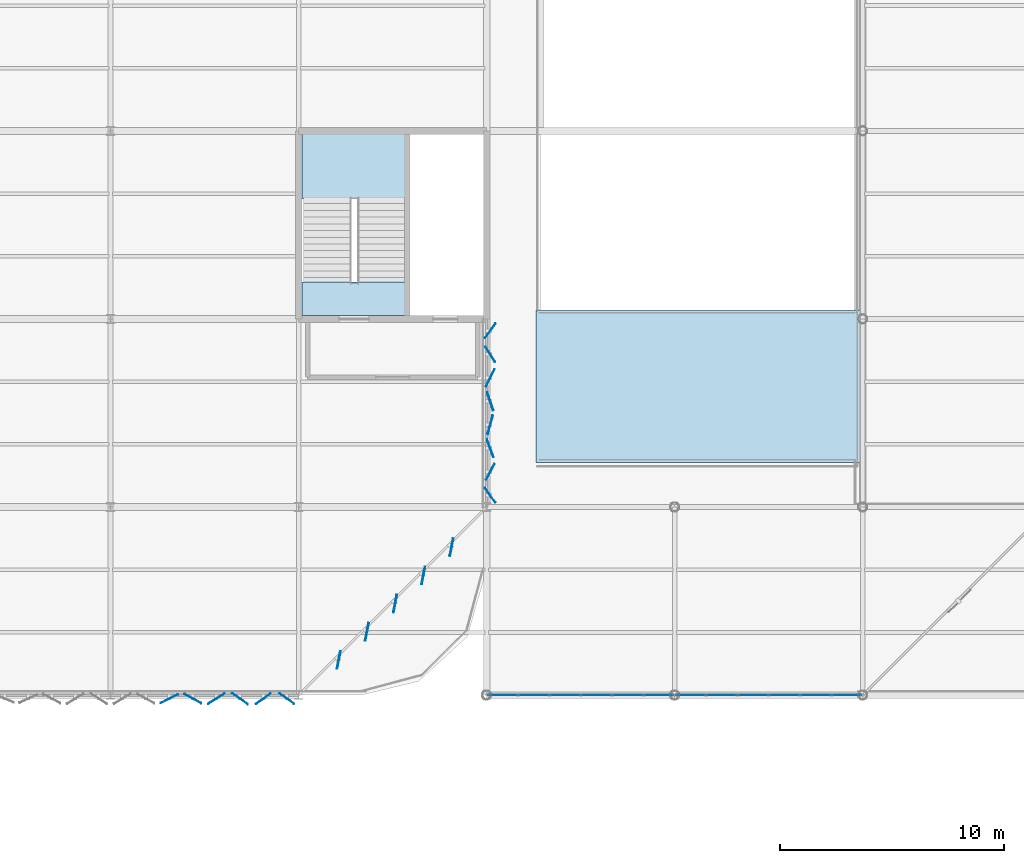
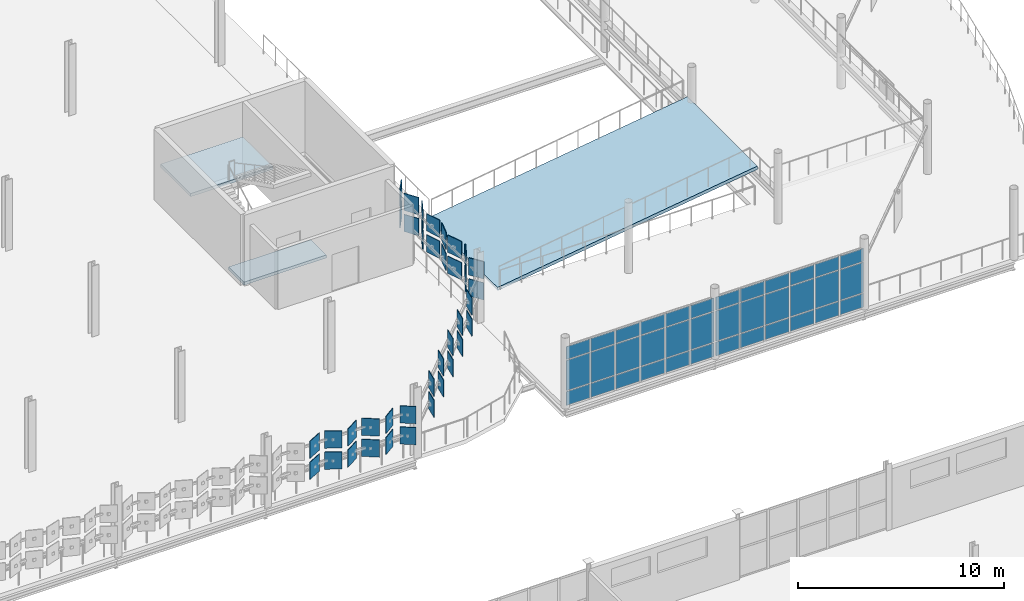
# One storey, part 126 of 163: 74 plates, 3 slabs, 3 elements without a shape of their own.
"""IFC4 building model written with IfcOpenShell, lengths in metres."""

from ifc_helpers import new_model, si_unit, direction, frame, origin, origin_2d, place, context, subcontext, project, spatial, polyline, rectangle, outline, extrude, material, layer, layer_set, type_object, element, aggregate, save


model = new_model("IFC4")

# Units and contexts
model_context = context("Model", 3, precision=1e-05, world=origin(), true_north=direction((0.0, 1.0)))
body_context = subcontext(model_context, "Body", "Model", "MODEL_VIEW")
ifc_project = project(units=[si_unit("LENGTHUNIT", "METRE"), si_unit("AREAUNIT", "SQUARE_METRE"), si_unit("VOLUMEUNIT", "CUBIC_METRE"), si_unit("PLANEANGLEUNIT", "RADIAN"), si_unit("MASSUNIT", "GRAM", prefix="KILO")], contexts=[model_context])

# Site, building, storey
site_placement = place(None, origin())
site = spatial("IfcSite", under=ifc_project, at=site_placement, CompositionType="ELEMENT")
building_placement = place(site_placement, origin())
building = spatial("IfcBuilding", under=site, at=building_placement, Name="Qalvenar Corner Mobility Hub", CompositionType="ELEMENT")
storey_placement = place(building_placement, frame((0.0, 0.0, 4.800048828125)))
storey = spatial("IfcBuildingStorey", under=building, at=storey_placement, Name="L01", CompositionType="ELEMENT", Elevation=4.800048828125)

# Curtain wall, plates
ifc_material_1 = material(Name="Anodised Aluminium and Low-E Glazing", Category="aluminium")
ifc_layer_1 = layer(ifc_material_1, 0.1201171875)
ifc_layer_set_1 = layer_set([ifc_layer_1], Name="Anodised Aluminium and Low-E Glazing")
curtain_wall_type = type_object("IfcCurtainWallType", Name="CW-STR-42X40", PredefinedType="NOTDEFINED", material=ifc_layer_set_1)
curtain_wall_1_placement = place(storey_placement, origin())
curtain_wall_1 = element("IfcCurtainWall", 1, at=curtain_wall_1_placement, inside=storey, type_object=curtain_wall_type, Name="Glazed Curtain Wall CW-V2-L01-S0", PredefinedType="NOTDEFINED")
ifc_material_2 = material(Name="Solar-Control Low-E Double Glazing", Category="glass")
ifc_layer_2 = layer(ifc_material_2, 0.028076171875)
ifc_layer_set_2 = layer_set([ifc_layer_2], Name="Solar-Control Low-E Double Glazing")
plate_type_1 = type_object("IfcPlateType", Name="PLT-CWP-GLZ1", PredefinedType="CURTAIN_PANEL", material=ifc_layer_set_2)
plate_1_placement = place(storey_placement, frame((143.514892578125, 67.199951171875, 0.054931640625), z_axis=(0.0, 0.0, 1.0), x_axis=(1.0, 0.0, 0.0)))
plate_1 = element("IfcPlate", 2, at=plate_1_placement, type_object=plate_type_1, Name="CW-10 panel 1.1", PredefinedType="CURTAIN_PANEL", context=body_context, shape_type="SweptSolid", body=[
    extrude(rectangle(XDim=1.31005859375, YDim=0.028076171875, at=origin_2d()), origin(), (0.0, 0.0, 1.0), 0.8173828125),
])
plate_2_placement = place(storey_placement, frame((143.514892578125, 67.199951171875, 0.927490234375), z_axis=(0.0, 0.0, 1.0), x_axis=(1.0, 0.0, 0.0)))
plate_2 = element("IfcPlate", 3, at=plate_2_placement, type_object=plate_type_1, Name="CW-10 panel 1.2", PredefinedType="CURTAIN_PANEL", context=body_context, shape_type="SweptSolid", body=[
    extrude(rectangle(XDim=1.31005859375, YDim=0.028076171875, at=origin_2d()), origin(), (0.0, 0.0, 1.0), 1.794921875),
])
plate_3_placement = place(storey_placement, frame((143.514892578125, 67.199951171875, 2.77734375), z_axis=(0.0, 0.0, 1.0), x_axis=(1.0, 0.0, 0.0)))
plate_3 = element("IfcPlate", 4, at=plate_3_placement, type_object=plate_type_1, Name="CW-10 panel 1.3", PredefinedType="CURTAIN_PANEL", context=body_context, shape_type="SweptSolid", body=[
    extrude(rectangle(XDim=1.31005859375, YDim=0.028076171875, at=origin_2d()), origin(), (0.0, 0.0, 1.0), 0.767578125),
])
plate_4_placement = place(storey_placement, frame((144.89990234375, 67.199951171875, 0.054931640625), z_axis=(0.0, 0.0, 1.0), x_axis=(1.0, 0.0, 0.0)))
plate_4 = element("IfcPlate", 5, at=plate_4_placement, type_object=plate_type_1, Name="CW-10 panel 2.1", PredefinedType="CURTAIN_PANEL", context=body_context, shape_type="SweptSolid", body=[
    extrude(rectangle(XDim=1.340087890625, YDim=0.028076171875, at=origin_2d()), origin(), (0.0, 0.0, 1.0), 0.8173828125),
])
plate_5_placement = place(storey_placement, frame((144.89990234375, 67.199951171875, 0.927490234375), z_axis=(0.0, 0.0, 1.0), x_axis=(1.0, 0.0, 0.0)))
plate_5 = element("IfcPlate", 6, at=plate_5_placement, type_object=plate_type_1, Name="CW-10 panel 2.2", PredefinedType="CURTAIN_PANEL", context=body_context, shape_type="SweptSolid", body=[
    extrude(rectangle(XDim=1.340087890625, YDim=0.028076171875, at=origin_2d()), origin(), (0.0, 0.0, 1.0), 1.794921875),
])
plate_6_placement = place(storey_placement, frame((144.89990234375, 67.199951171875, 2.77734375), z_axis=(0.0, 0.0, 1.0), x_axis=(1.0, 0.0, 0.0)))
plate_6 = element("IfcPlate", 7, at=plate_6_placement, type_object=plate_type_1, Name="CW-10 panel 2.3", PredefinedType="CURTAIN_PANEL", context=body_context, shape_type="SweptSolid", body=[
    extrude(rectangle(XDim=1.340087890625, YDim=0.028076171875, at=origin_2d()), origin(), (0.0, 0.0, 1.0), 0.767578125),
])
plate_7_placement = place(storey_placement, frame((146.300048828125, 67.199951171875, 0.054931640625), z_axis=(0.0, 0.0, 1.0), x_axis=(1.0, 0.0, 0.0)))
plate_7 = element("IfcPlate", 8, at=plate_7_placement, type_object=plate_type_1, Name="CW-10 panel 3.1", PredefinedType="CURTAIN_PANEL", context=body_context, shape_type="SweptSolid", body=[
    extrude(rectangle(XDim=1.340087890625, YDim=0.028076171875, at=origin_2d()), origin(), (0.0, 0.0, 1.0), 0.8173828125),
])
plate_8_placement = place(storey_placement, frame((146.300048828125, 67.199951171875, 0.927490234375), z_axis=(0.0, 0.0, 1.0), x_axis=(1.0, 0.0, 0.0)))
plate_8 = element("IfcPlate", 9, at=plate_8_placement, type_object=plate_type_1, Name="CW-10 panel 3.2", PredefinedType="CURTAIN_PANEL", context=body_context, shape_type="SweptSolid", body=[
    extrude(rectangle(XDim=1.340087890625, YDim=0.028076171875, at=origin_2d()), origin(), (0.0, 0.0, 1.0), 1.794921875),
])
plate_9_placement = place(storey_placement, frame((146.300048828125, 67.199951171875, 2.77734375), z_axis=(0.0, 0.0, 1.0), x_axis=(1.0, 0.0, 0.0)))
plate_9 = element("IfcPlate", 10, at=plate_9_placement, type_object=plate_type_1, Name="CW-10 panel 3.3", PredefinedType="CURTAIN_PANEL", context=body_context, shape_type="SweptSolid", body=[
    extrude(rectangle(XDim=1.340087890625, YDim=0.028076171875, at=origin_2d()), origin(), (0.0, 0.0, 1.0), 0.767578125),
])
plate_10_placement = place(storey_placement, frame((147.699951171875, 67.199951171875, 0.054931640625), z_axis=(0.0, 0.0, 1.0), x_axis=(1.0, 0.0, 0.0)))
plate_10 = element("IfcPlate", 11, at=plate_10_placement, type_object=plate_type_1, Name="CW-10 panel 4.1", PredefinedType="CURTAIN_PANEL", context=body_context, shape_type="SweptSolid", body=[
    extrude(rectangle(XDim=1.340087890625, YDim=0.028076171875, at=origin_2d()), origin(), (0.0, 0.0, 1.0), 0.8173828125),
])
plate_11_placement = place(storey_placement, frame((147.699951171875, 67.199951171875, 0.927490234375), z_axis=(0.0, 0.0, 1.0), x_axis=(1.0, 0.0, 0.0)))
plate_11 = element("IfcPlate", 12, at=plate_11_placement, type_object=plate_type_1, Name="CW-10 panel 4.2", PredefinedType="CURTAIN_PANEL", context=body_context, shape_type="SweptSolid", body=[
    extrude(rectangle(XDim=1.340087890625, YDim=0.028076171875, at=origin_2d()), origin(), (0.0, 0.0, 1.0), 1.794921875),
])
plate_12_placement = place(storey_placement, frame((147.699951171875, 67.199951171875, 2.77734375), z_axis=(0.0, 0.0, 1.0), x_axis=(1.0, 0.0, 0.0)))
plate_12 = element("IfcPlate", 13, at=plate_12_placement, type_object=plate_type_1, Name="CW-10 panel 4.3", PredefinedType="CURTAIN_PANEL", context=body_context, shape_type="SweptSolid", body=[
    extrude(rectangle(XDim=1.340087890625, YDim=0.028076171875, at=origin_2d()), origin(), (0.0, 0.0, 1.0), 0.767578125),
])
plate_13_placement = place(storey_placement, frame((149.10009765625, 67.199951171875, 0.054931640625), z_axis=(0.0, 0.0, 1.0), x_axis=(1.0, 0.0, 0.0)))
plate_13 = element("IfcPlate", 14, at=plate_13_placement, type_object=plate_type_1, Name="CW-10 panel 5.1", PredefinedType="CURTAIN_PANEL", context=body_context, shape_type="SweptSolid", body=[
    extrude(rectangle(XDim=1.340087890625, YDim=0.028076171875, at=origin_2d()), origin(), (0.0, 0.0, 1.0), 0.8173828125),
])
plate_14_placement = place(storey_placement, frame((149.10009765625, 67.199951171875, 0.927490234375), z_axis=(0.0, 0.0, 1.0), x_axis=(1.0, 0.0, 0.0)))
plate_14 = element("IfcPlate", 15, at=plate_14_placement, type_object=plate_type_1, Name="CW-10 panel 5.2", PredefinedType="CURTAIN_PANEL", context=body_context, shape_type="SweptSolid", body=[
    extrude(rectangle(XDim=1.340087890625, YDim=0.028076171875, at=origin_2d()), origin(), (0.0, 0.0, 1.0), 1.794921875),
])
plate_15_placement = place(storey_placement, frame((149.10009765625, 67.199951171875, 2.77734375), z_axis=(0.0, 0.0, 1.0), x_axis=(1.0, 0.0, 0.0)))
plate_15 = element("IfcPlate", 16, at=plate_15_placement, type_object=plate_type_1, Name="CW-10 panel 5.3", PredefinedType="CURTAIN_PANEL", context=body_context, shape_type="SweptSolid", body=[
    extrude(rectangle(XDim=1.340087890625, YDim=0.028076171875, at=origin_2d()), origin(), (0.0, 0.0, 1.0), 0.767578125),
])
plate_16_placement = place(storey_placement, frame((150.485107421875, 67.199951171875, 0.054931640625), z_axis=(0.0, 0.0, 1.0), x_axis=(1.0, 0.0, 0.0)))
plate_16 = element("IfcPlate", 17, at=plate_16_placement, type_object=plate_type_1, Name="CW-10 panel 6.1", PredefinedType="CURTAIN_PANEL", context=body_context, shape_type="SweptSolid", body=[
    extrude(rectangle(XDim=1.31005859375, YDim=0.028076171875, at=origin_2d()), origin(), (0.0, 0.0, 1.0), 0.8173828125),
])
plate_17_placement = place(storey_placement, frame((150.485107421875, 67.199951171875, 0.927490234375), z_axis=(0.0, 0.0, 1.0), x_axis=(1.0, 0.0, 0.0)))
plate_17 = element("IfcPlate", 18, at=plate_17_placement, type_object=plate_type_1, Name="CW-10 panel 6.2", PredefinedType="CURTAIN_PANEL", context=body_context, shape_type="SweptSolid", body=[
    extrude(rectangle(XDim=1.31005859375, YDim=0.028076171875, at=origin_2d()), origin(), (0.0, 0.0, 1.0), 1.794921875),
])
plate_18_placement = place(storey_placement, frame((150.485107421875, 67.199951171875, 2.77734375), z_axis=(0.0, 0.0, 1.0), x_axis=(1.0, 0.0, 0.0)))
plate_18 = element("IfcPlate", 19, at=plate_18_placement, type_object=plate_type_1, Name="CW-10 panel 6.3", PredefinedType="CURTAIN_PANEL", context=body_context, shape_type="SweptSolid", body=[
    extrude(rectangle(XDim=1.31005859375, YDim=0.028076171875, at=origin_2d()), origin(), (0.0, 0.0, 1.0), 0.767578125),
])
aggregate(curtain_wall_1, [plate_1, plate_2, plate_3, plate_4, plate_5, plate_6, plate_7, plate_8, plate_9, plate_10, plate_11, plate_12, plate_13, plate_14, plate_15, plate_16, plate_17, plate_18])

curtain_wall_2_placement = place(storey_placement, origin())
curtain_wall_2 = element("IfcCurtainWall", 20, at=curtain_wall_2_placement, inside=storey, type_object=curtain_wall_type, Name="Glazed Curtain Wall CW-V2-L01-S1", PredefinedType="NOTDEFINED")
plate_19_placement = place(storey_placement, frame((151.9150390625, 67.199951171875, 0.054931640625), z_axis=(0.0, 0.0, 1.0), x_axis=(1.0, 0.0, 0.0)))
plate_19 = element("IfcPlate", 21, at=plate_19_placement, type_object=plate_type_1, Name="CW-10 panel 1.1", PredefinedType="CURTAIN_PANEL", context=body_context, shape_type="SweptSolid", body=[
    extrude(rectangle(XDim=1.31005859375, YDim=0.028076171875, at=origin_2d()), origin(), (0.0, 0.0, 1.0), 0.8173828125),
])
plate_20_placement = place(storey_placement, frame((151.9150390625, 67.199951171875, 0.927490234375), z_axis=(0.0, 0.0, 1.0), x_axis=(1.0, 0.0, 0.0)))
plate_20 = element("IfcPlate", 22, at=plate_20_placement, type_object=plate_type_1, Name="CW-10 panel 1.2", PredefinedType="CURTAIN_PANEL", context=body_context, shape_type="SweptSolid", body=[
    extrude(rectangle(XDim=1.31005859375, YDim=0.028076171875, at=origin_2d()), origin(), (0.0, 0.0, 1.0), 1.794921875),
])
plate_21_placement = place(storey_placement, frame((151.9150390625, 67.199951171875, 2.77734375), z_axis=(0.0, 0.0, 1.0), x_axis=(1.0, 0.0, 0.0)))
plate_21 = element("IfcPlate", 23, at=plate_21_placement, type_object=plate_type_1, Name="CW-10 panel 1.3", PredefinedType="CURTAIN_PANEL", context=body_context, shape_type="SweptSolid", body=[
    extrude(rectangle(XDim=1.31005859375, YDim=0.028076171875, at=origin_2d()), origin(), (0.0, 0.0, 1.0), 0.767578125),
])
plate_22_placement = place(storey_placement, frame((153.300048828125, 67.199951171875, 0.054931640625), z_axis=(0.0, 0.0, 1.0), x_axis=(1.0, 0.0, 0.0)))
plate_22 = element("IfcPlate", 24, at=plate_22_placement, type_object=plate_type_1, Name="CW-10 panel 2.1", PredefinedType="CURTAIN_PANEL", context=body_context, shape_type="SweptSolid", body=[
    extrude(rectangle(XDim=1.340087890625, YDim=0.028076171875, at=origin_2d()), origin(), (0.0, 0.0, 1.0), 0.8173828125),
])
plate_23_placement = place(storey_placement, frame((153.300048828125, 67.199951171875, 0.927490234375), z_axis=(0.0, 0.0, 1.0), x_axis=(1.0, 0.0, 0.0)))
plate_23 = element("IfcPlate", 25, at=plate_23_placement, type_object=plate_type_1, Name="CW-10 panel 2.2", PredefinedType="CURTAIN_PANEL", context=body_context, shape_type="SweptSolid", body=[
    extrude(rectangle(XDim=1.340087890625, YDim=0.028076171875, at=origin_2d()), origin(), (0.0, 0.0, 1.0), 1.794921875),
])
plate_24_placement = place(storey_placement, frame((153.300048828125, 67.199951171875, 2.77734375), z_axis=(0.0, 0.0, 1.0), x_axis=(1.0, 0.0, 0.0)))
plate_24 = element("IfcPlate", 26, at=plate_24_placement, type_object=plate_type_1, Name="CW-10 panel 2.3", PredefinedType="CURTAIN_PANEL", context=body_context, shape_type="SweptSolid", body=[
    extrude(rectangle(XDim=1.340087890625, YDim=0.028076171875, at=origin_2d()), origin(), (0.0, 0.0, 1.0), 0.767578125),
])
plate_25_placement = place(storey_placement, frame((154.699951171875, 67.199951171875, 0.054931640625), z_axis=(0.0, 0.0, 1.0), x_axis=(1.0, 0.0, 0.0)))
plate_25 = element("IfcPlate", 27, at=plate_25_placement, type_object=plate_type_1, Name="CW-10 panel 3.1", PredefinedType="CURTAIN_PANEL", context=body_context, shape_type="SweptSolid", body=[
    extrude(rectangle(XDim=1.340087890625, YDim=0.028076171875, at=origin_2d()), origin(), (0.0, 0.0, 1.0), 0.8173828125),
])
plate_26_placement = place(storey_placement, frame((154.699951171875, 67.199951171875, 0.927490234375), z_axis=(0.0, 0.0, 1.0), x_axis=(1.0, 0.0, 0.0)))
plate_26 = element("IfcPlate", 28, at=plate_26_placement, type_object=plate_type_1, Name="CW-10 panel 3.2", PredefinedType="CURTAIN_PANEL", context=body_context, shape_type="SweptSolid", body=[
    extrude(rectangle(XDim=1.340087890625, YDim=0.028076171875, at=origin_2d()), origin(), (0.0, 0.0, 1.0), 1.794921875),
])
plate_27_placement = place(storey_placement, frame((154.699951171875, 67.199951171875, 2.77734375), z_axis=(0.0, 0.0, 1.0), x_axis=(1.0, 0.0, 0.0)))
plate_27 = element("IfcPlate", 29, at=plate_27_placement, type_object=plate_type_1, Name="CW-10 panel 3.3", PredefinedType="CURTAIN_PANEL", context=body_context, shape_type="SweptSolid", body=[
    extrude(rectangle(XDim=1.340087890625, YDim=0.028076171875, at=origin_2d()), origin(), (0.0, 0.0, 1.0), 0.767578125),
])
plate_28_placement = place(storey_placement, frame((156.10009765625, 67.199951171875, 0.054931640625), z_axis=(0.0, 0.0, 1.0), x_axis=(1.0, 0.0, 0.0)))
plate_28 = element("IfcPlate", 30, at=plate_28_placement, type_object=plate_type_1, Name="CW-10 panel 4.1", PredefinedType="CURTAIN_PANEL", context=body_context, shape_type="SweptSolid", body=[
    extrude(rectangle(XDim=1.340087890625, YDim=0.028076171875, at=origin_2d()), origin(), (0.0, 0.0, 1.0), 0.8173828125),
])
plate_29_placement = place(storey_placement, frame((156.10009765625, 67.199951171875, 0.927490234375), z_axis=(0.0, 0.0, 1.0), x_axis=(1.0, 0.0, 0.0)))
plate_29 = element("IfcPlate", 31, at=plate_29_placement, type_object=plate_type_1, Name="CW-10 panel 4.2", PredefinedType="CURTAIN_PANEL", context=body_context, shape_type="SweptSolid", body=[
    extrude(rectangle(XDim=1.340087890625, YDim=0.028076171875, at=origin_2d()), origin(), (0.0, 0.0, 1.0), 1.794921875),
])
plate_30_placement = place(storey_placement, frame((156.10009765625, 67.199951171875, 2.77734375), z_axis=(0.0, 0.0, 1.0), x_axis=(1.0, 0.0, 0.0)))
plate_30 = element("IfcPlate", 32, at=plate_30_placement, type_object=plate_type_1, Name="CW-10 panel 4.3", PredefinedType="CURTAIN_PANEL", context=body_context, shape_type="SweptSolid", body=[
    extrude(rectangle(XDim=1.340087890625, YDim=0.028076171875, at=origin_2d()), origin(), (0.0, 0.0, 1.0), 0.767578125),
])
plate_31_placement = place(storey_placement, frame((157.5, 67.199951171875, 0.054931640625), z_axis=(0.0, 0.0, 1.0), x_axis=(1.0, 0.0, 0.0)))
plate_31 = element("IfcPlate", 33, at=plate_31_placement, type_object=plate_type_1, Name="CW-10 panel 5.1", PredefinedType="CURTAIN_PANEL", context=body_context, shape_type="SweptSolid", body=[
    extrude(rectangle(XDim=1.340087890625, YDim=0.028076171875, at=origin_2d()), origin(), (0.0, 0.0, 1.0), 0.8173828125),
])
plate_32_placement = place(storey_placement, frame((157.5, 67.199951171875, 0.927490234375), z_axis=(0.0, 0.0, 1.0), x_axis=(1.0, 0.0, 0.0)))
plate_32 = element("IfcPlate", 34, at=plate_32_placement, type_object=plate_type_1, Name="CW-10 panel 5.2", PredefinedType="CURTAIN_PANEL", context=body_context, shape_type="SweptSolid", body=[
    extrude(rectangle(XDim=1.340087890625, YDim=0.028076171875, at=origin_2d()), origin(), (0.0, 0.0, 1.0), 1.794921875),
])
plate_33_placement = place(storey_placement, frame((157.5, 67.199951171875, 2.77734375), z_axis=(0.0, 0.0, 1.0), x_axis=(1.0, 0.0, 0.0)))
plate_33 = element("IfcPlate", 35, at=plate_33_placement, type_object=plate_type_1, Name="CW-10 panel 5.3", PredefinedType="CURTAIN_PANEL", context=body_context, shape_type="SweptSolid", body=[
    extrude(rectangle(XDim=1.340087890625, YDim=0.028076171875, at=origin_2d()), origin(), (0.0, 0.0, 1.0), 0.767578125),
])
plate_34_placement = place(storey_placement, frame((158.885009765625, 67.199951171875, 0.054931640625), z_axis=(0.0, 0.0, 1.0), x_axis=(1.0, 0.0, 0.0)))
plate_34 = element("IfcPlate", 36, at=plate_34_placement, type_object=plate_type_1, Name="CW-10 panel 6.1", PredefinedType="CURTAIN_PANEL", context=body_context, shape_type="SweptSolid", body=[
    extrude(rectangle(XDim=1.31005859375, YDim=0.028076171875, at=origin_2d()), origin(), (0.0, 0.0, 1.0), 0.8173828125),
])
plate_35_placement = place(storey_placement, frame((158.885009765625, 67.199951171875, 0.927490234375), z_axis=(0.0, 0.0, 1.0), x_axis=(1.0, 0.0, 0.0)))
plate_35 = element("IfcPlate", 37, at=plate_35_placement, type_object=plate_type_1, Name="CW-10 panel 6.2", PredefinedType="CURTAIN_PANEL", context=body_context, shape_type="SweptSolid", body=[
    extrude(rectangle(XDim=1.31005859375, YDim=0.028076171875, at=origin_2d()), origin(), (0.0, 0.0, 1.0), 1.794921875),
])
plate_36_placement = place(storey_placement, frame((158.885009765625, 67.199951171875, 2.77734375), z_axis=(0.0, 0.0, 1.0), x_axis=(1.0, 0.0, 0.0)))
plate_36 = element("IfcPlate", 38, at=plate_36_placement, type_object=plate_type_1, Name="CW-10 panel 6.3", PredefinedType="CURTAIN_PANEL", context=body_context, shape_type="SweptSolid", body=[
    extrude(rectangle(XDim=1.31005859375, YDim=0.028076171875, at=origin_2d()), origin(), (0.0, 0.0, 1.0), 0.767578125),
])
aggregate(curtain_wall_2, [plate_19, plate_20, plate_21, plate_22, plate_23, plate_24, plate_25, plate_26, plate_27, plate_28, plate_29, plate_30, plate_31, plate_32, plate_33, plate_34, plate_35, plate_36])

# Plates
ifc_material_3 = material(Name="Terracotta-Ochre Anodised Aluminium", Category="masonry")
ifc_layer_3 = layer(ifc_material_3, 0.035888671875)
ifc_layer_set_3 = layer_set([ifc_layer_3], Name="Terracotta-Ochre Anodised Aluminium")
plate_type_2 = type_object("IfcPlateType", Name="PLT-XC-L1-CRN", PredefinedType="SHEET", material=ifc_layer_set_3)
for number, where, z_axis, x_axis, name in (
    (39, (132.824951171875, 67.0400390625, 0.989990234375), (0.0, 0.0, 1.0), (0.819152044289, 0.573576436351, 0.0), "Hinged Facade Panel FP-L01-0125"),
    (40, (132.824951171875, 67.0400390625, 2.239990234375), (0.0, 0.0, 1.0), (0.819152044289, 0.573576436351, 0.0), "Hinged Facade Panel FP-L01-0126"),
    (41, (133.875, 67.0400390625, 0.989990234375), (0.0, 0.0, 1.0), (0.819152044289, -0.573576436351, 0.0), "Hinged Facade Panel FP-L01-0127"),
    (42, (133.875, 67.0400390625, 2.239990234375), (0.0, 0.0, 1.0), (0.819152044289, -0.573576436351, 0.0), "Hinged Facade Panel FP-L01-0128"),
    (43, (142.9599609375, 76.125, 0.989990234375), (0.0, 0.0, 1.0), (-0.573576436351, 0.819152044289, 0.0), "Hinged Facade Panel FP-L01-0305"),
    (44, (142.9599609375, 76.125, 2.239990234375), (0.0, 0.0, 1.0), (-0.573576436351, 0.819152044289, 0.0), "Hinged Facade Panel FP-L01-0306"),
    (45, (142.9599609375, 77.175048828125, 0.989990234375), (0.0, 0.0, 1.0), (0.46329603512, 0.886203579231, 0.0), "Hinged Facade Panel FP-L01-0307"),
    (46, (142.9599609375, 77.175048828125, 2.239990234375), (0.0, 0.0, 1.0), (0.46329603512, 0.886203579231, 0.0), "Hinged Facade Panel FP-L01-0308"),
    (47, (142.9599609375, 82.425048828125, 0.989990234375), (0.0, 0.0, 1.0), (-0.544053399827, 0.839050593311, 0.0), "Hinged Facade Panel FP-L01-0317"),
    (48, (142.9599609375, 82.425048828125, 2.239990234375), (0.0, 0.0, 1.0), (-0.544053399827, 0.839050593311, 0.0), "Hinged Facade Panel FP-L01-0318"),
    (49, (142.9599609375, 83.47509765625, 0.989990234375), (0.0, 0.0, 1.0), (0.573576436351, 0.819152044289, 0.0), "Hinged Facade Panel FP-L01-0319"),
    (50, (142.9599609375, 83.47509765625, 2.239990234375), (0.0, 0.0, 1.0), (0.573576436351, 0.819152044289, 0.0), "Hinged Facade Panel FP-L01-0320"),
    (51, (136.193115234375, 68.766845703125, 0.989990234375), (0.0, 0.0, 1.0), (0.190808995377, 0.981627183448, 0.0), "Corner Hinged Panel FPC-L01-0331"),
    (52, (137.453125, 70.02685546875, 0.989990234375), (0.0, 0.0, 1.0), (0.190808995377, 0.981627183448, 0.0), "Corner Hinged Panel FPC-L01-0332"),
    (53, (138.713134765625, 71.286865234375, 0.989990234375), (0.0, 0.0, 1.0), (0.190808995377, 0.981627183448, 0.0), "Corner Hinged Panel FPC-L01-0333"),
    (54, (139.97314453125, 72.546875, 0.989990234375), (0.0, 0.0, 1.0), (0.190808995377, 0.981627183448, 0.0), "Corner Hinged Panel FPC-L01-0334"),
    (55, (141.233154296875, 73.806884765625, 0.989990234375), (0.0, 0.0, 1.0), (0.190808995377, 0.981627183448, 0.0), "Corner Hinged Panel FPC-L01-0335"),
    (56, (136.193115234375, 68.766845703125, 2.239990234375), (0.0, 0.0, 1.0), (0.190808995377, 0.981627183448, 0.0), "Corner Hinged Panel FPC-L01-0336"),
    (57, (137.453125, 70.02685546875, 2.239990234375), (0.0, 0.0, 1.0), (0.190808995377, 0.981627183448, 0.0), "Corner Hinged Panel FPC-L01-0337"),
    (58, (138.713134765625, 71.286865234375, 2.239990234375), (0.0, 0.0, 1.0), (0.190808995377, 0.981627183448, 0.0), "Corner Hinged Panel FPC-L01-0338"),
    (59, (139.97314453125, 72.546875, 2.239990234375), (0.0, 0.0, 1.0), (0.190808995377, 0.981627183448, 0.0), "Corner Hinged Panel FPC-L01-0339"),
    (60, (141.233154296875, 73.806884765625, 2.239990234375), (0.0, 0.0, 1.0), (0.190808995377, 0.981627183448, 0.0), "Corner Hinged Panel FPC-L01-0340"),
):
    element("IfcPlate", number, at=place(storey_placement, frame(where, z_axis=z_axis, x_axis=x_axis)), inside=storey, type_object=plate_type_2, Name=name, PredefinedType="SHEET", context=body_context, shape_type="SweptSolid", body=[
        extrude(rectangle(XDim=0.800048828125, YDim=0.035888671875, at=origin_2d()), origin(), (0.0, 0.0, 1.0), 1.02001953125),
    ])
ifc_layer_4 = layer(ifc_material_3, 0.033935546875)
ifc_layer_set_4 = layer_set([ifc_layer_4], Name="Terracotta-Ochre Anodised Aluminium")
plate_type_3 = type_object("IfcPlateType", Name="PLT-XC-L1-STD", PredefinedType="SHEET", material=ifc_layer_set_4)
for number, where, z_axis, x_axis, name in (
    (61, (128.625, 67.0400390625, 0.989990234375), (0.0, 0.0, 1.0), (0.891481453292, 0.453057191132, 0.0), "Hinged Facade Panel FP-L01-0117"),
    (62, (128.625, 67.0400390625, 2.239990234375), (0.0, 0.0, 1.0), (0.891481453292, 0.453057191132, 0.0), "Hinged Facade Panel FP-L01-0118"),
    (63, (129.675048828125, 67.0400390625, 0.989990234375), (0.0, 0.0, 1.0), (0.878817112662, -0.47715876026, 0.0), "Hinged Facade Panel FP-L01-0119"),
    (64, (129.675048828125, 67.0400390625, 2.239990234375), (0.0, 0.0, 1.0), (0.878817112662, -0.47715876026, 0.0), "Hinged Facade Panel FP-L01-0120"),
    (65, (130.72509765625, 67.0400390625, 0.989990234375), (0.0, 0.0, 1.0), (0.844981931132, 0.534794854183, 0.0), "Hinged Facade Panel FP-L01-0121"),
    (66, (130.72509765625, 67.0400390625, 2.239990234375), (0.0, 0.0, 1.0), (0.844981931132, 0.534794854183, 0.0), "Hinged Facade Panel FP-L01-0122"),
    (67, (131.77490234375, 67.0400390625, 0.989990234375), (0.0, 0.0, 1.0), (0.819152044289, -0.573576436351, 0.0), "Hinged Facade Panel FP-L01-0123"),
    (68, (131.77490234375, 67.0400390625, 2.239990234375), (0.0, 0.0, 1.0), (0.819152044289, -0.573576436351, 0.0), "Hinged Facade Panel FP-L01-0124"),
    (69, (142.9599609375, 78.22509765625, 0.989990234375), (0.0, 0.0, 1.0), (-0.345134395808, 0.93855327437, 0.0), "Hinged Facade Panel FP-L01-0309"),
    (70, (142.9599609375, 78.22509765625, 2.239990234375), (0.0, 0.0, 1.0), (-0.345134395808, 0.93855327437, 0.0), "Hinged Facade Panel FP-L01-0310"),
    (71, (142.9599609375, 79.27490234375, 0.989990234375), (0.0, 0.0, 1.0), (0.270096344686, 0.962833300518, 0.0), "Hinged Facade Panel FP-L01-0311"),
    (72, (142.9599609375, 79.27490234375, 2.239990234375), (0.0, 0.0, 1.0), (0.270096344686, 0.962833300518, 0.0), "Hinged Facade Panel FP-L01-0312"),
    (73, (142.9599609375, 80.324951171875, 0.989990234375), (0.0, 0.0, 1.0), (-0.320116988518, 0.947378020466, 0.0), "Hinged Facade Panel FP-L01-0313"),
    (74, (142.9599609375, 80.324951171875, 2.239990234375), (0.0, 0.0, 1.0), (-0.320116988518, 0.947378020466, 0.0), "Hinged Facade Panel FP-L01-0314"),
    (75, (142.9599609375, 81.375, 0.989990234375), (0.0, 0.0, 1.0), (0.452745977805, 0.89163954577, 0.0), "Hinged Facade Panel FP-L01-0315"),
    (76, (142.9599609375, 81.375, 2.239990234375), (0.0, 0.0, 1.0), (0.452745977805, 0.89163954577, 0.0), "Hinged Facade Panel FP-L01-0316"),
):
    element("IfcPlate", number, at=place(storey_placement, frame(where, z_axis=z_axis, x_axis=x_axis)), inside=storey, type_object=plate_type_3, Name=name, PredefinedType="SHEET", context=body_context, shape_type="SweptSolid", body=[
        extrude(rectangle(XDim=0.860107421875, YDim=0.033935546875, at=origin_2d()), origin(), (0.0, 0.0, 1.0), 1.02001953125),
    ])

# Stair, slab
ifc_material_4 = material(Name="Concrete C35/45", Category="concrete")
stair_type = type_object("IfcStairType", Name="STR-200-H42", PredefinedType="HALF_TURN_STAIR", material=ifc_material_4)
stair_placement = place(storey_placement, origin())
stair = element("IfcStair", 77, at=stair_placement, inside=storey, type_object=stair_type, Name="Exit Stair ST4 L01-L02", PredefinedType="HALF_TURN_STAIR")
ifc_layer_5 = layer(ifc_material_4, 0.179931640625)
ifc_layer_set_5 = layer_set([ifc_layer_5], Name="Concrete C35/45")
slab_type_1 = type_object("IfcSlabType", Name="SLB-LND180", PredefinedType="LANDING", material=ifc_layer_set_5)
slab_1_placement = place(storey_placement, frame((0.0, 0.0, 1.919921875)))
slab_1 = element("IfcSlab", 78, at=slab_1_placement, type_object=slab_type_1, Name="ST4 landing 1", PredefinedType="LANDING", context=body_context, shape_type="SweptSolid", body=[
    extrude(outline(polyline([(134.5400390625, 89.35009765625), (139.179931640625, 89.35009765625), (139.179931640625, 92.260009765625), (134.5400390625, 92.260009765625), (134.5400390625, 89.35009765625)])), origin(), (0.0, 0.0, 1.0), 0.179931640625),
])
aggregate(stair, [slab_1])

# Slabs
ifc_layer_6 = layer(ifc_material_4, 0.175048828125)
ifc_layer_set_6 = layer_set([ifc_layer_6], Name="Concrete C35/45")
slab_type_2 = type_object("IfcSlabType", Name="SLB-LND200", PredefinedType="LANDING", material=ifc_layer_set_6)
slab_2_placement = place(storey_placement, frame((0.0, 0.0, -0.175048828125)))
element("IfcSlab", 79, at=slab_2_placement, inside=storey, type_object=slab_type_2, Name="Core Stair Arrival Landing C4-L01", PredefinedType="LANDING", context=body_context, shape_type="SweptSolid", body=[
    extrude(outline(polyline([(134.550048828125, 84.14990234375), (139.169921875, 84.14990234375), (139.169921875, 85.64990234375), (134.550048828125, 85.64990234375), (134.550048828125, 84.14990234375)])), origin(), (0.0, 0.0, 1.0), 0.175048828125),
])
ifc_material_5 = material(Name="Concrete C35/45", Category="concrete")
ifc_layer_7 = layer(ifc_material_5, 0.195068359375)
ifc_layer_set_7 = layer_set([ifc_layer_7], Name="Concrete C35/45")
slab_type_3 = type_object("IfcSlabType", Name="SLB-VRMP195", PredefinedType="FLOOR", material=ifc_layer_set_7)
slab_3_placement = place(storey_placement, frame((145.0, 77.60009765625, 0.0), z_axis=(-0.142359764805, 0.0, 0.98981498138), x_axis=(0.98981498138, 0.0, 0.142359764805)))
element("IfcSlab", 80, at=slab_3_placement, inside=storey, type_object=slab_type_3, Name="Vehicle Circulation Ramp Structural Slab L01-L02 Lower", PredefinedType="FLOOR", context=body_context, shape_type="SweptSolid", body=[
    extrude(outline(polyline([(0.0, 0.0), (14.750330042379371, 0.0), (14.750330042379371, 6.7998046875), (0.0, 6.7998046875), (0.0, 0.0)])), origin(), (0.0, 0.0, -1.0), 0.195068359375),
])

save(model, "model.ifc")
